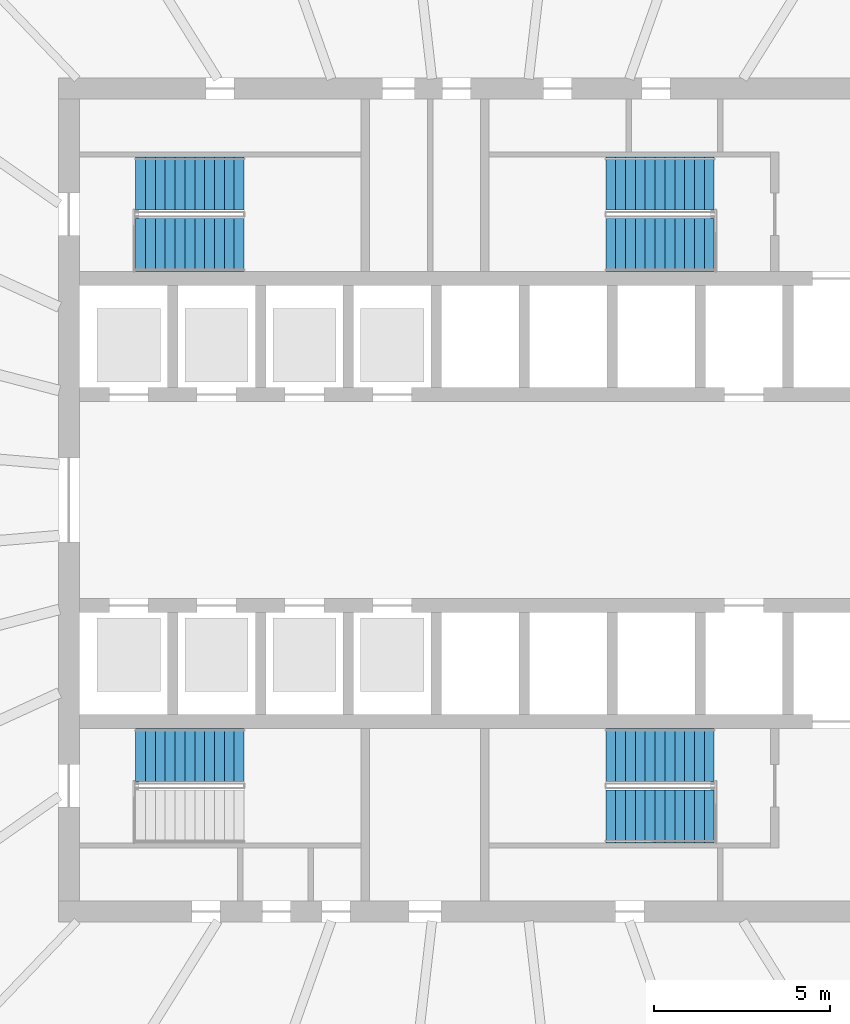
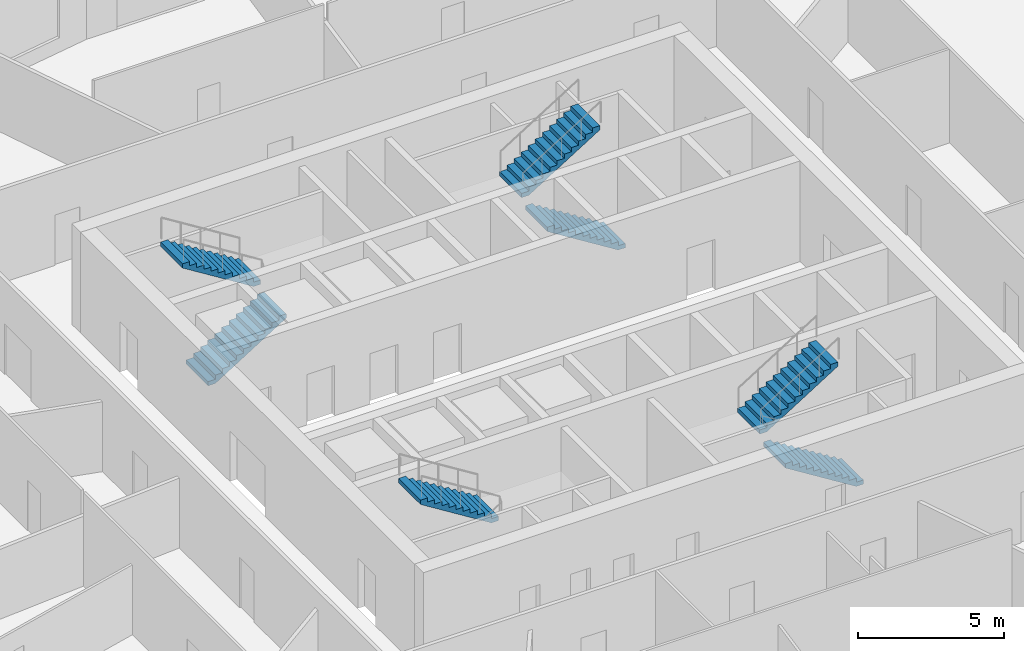
# One storey, part 8 of 11: 7 stair flights, 4 elements without a shape of their own.
"""IFC4 building model written with IfcOpenShell, lengths in metres."""

from ifc_helpers import new_model, si_unit, direction, frame, origin, place, context, subcontext, project, spatial, polyline, outline, extrude, material, type_object, element, aggregate, save


model = new_model("IFC4")

# Units and contexts
model_context = context("Model", 3, precision=1e-05, world=origin(), true_north=direction((0.0, 1.0)))
body_context = subcontext(model_context, "Body", "Model", "MODEL_VIEW")
ifc_project = project(units=[si_unit("LENGTHUNIT", "METRE"), si_unit("AREAUNIT", "SQUARE_METRE"), si_unit("VOLUMEUNIT", "CUBIC_METRE"), si_unit("PLANEANGLEUNIT", "RADIAN"), si_unit("MASSUNIT", "GRAM", prefix="KILO")], contexts=[model_context])

# Site, building, storey
site_placement = place(None, origin())
site = spatial("IfcSite", under=ifc_project, at=site_placement, CompositionType="ELEMENT")
building_placement = place(site_placement, origin())
building = spatial("IfcBuilding", under=site, at=building_placement, Name="Halqa Exchange Tower", CompositionType="ELEMENT")
storey_placement = place(building_placement, frame((0.0, 0.0, 150.699951171875)))
storey = spatial("IfcBuildingStorey", under=building, at=storey_placement, Name="L34", CompositionType="ELEMENT", Elevation=150.699951171875)

# Stair, stair flights
ifc_material = material(Name="Concrete C30/37", Category="concrete")
stair_type = type_object("IfcStairType", Name="Exit stair 1500 wide", PredefinedType="HALF_TURN_STAIR", material=ifc_material)
stair_1_placement = place(storey_placement, origin())
stair_1 = element("IfcStair", 1, at=stair_1_placement, inside=storey, type_object=stair_type, Name="Exit stair ST1", PredefinedType="HALF_TURN_STAIR")
stair_flight_type = type_object("IfcStairFlightType", Name="Stair flight 1500 wide", PredefinedType="STRAIGHT", material=ifc_material)
stair_flight_1_placement = place(storey_placement, frame((-9.800048828125, 7.25, 0.0), z_axis=(0.0, 0.0, 1.0), x_axis=(1.0, 0.0, 0.0)))
stair_flight_1 = element("IfcStairFlight", 2, at=stair_flight_1_placement, type_object=stair_flight_type, Name="ST1 flight 1", NumberOfRisers=12, NumberOfTreads=11, PredefinedType="STRAIGHT", RiserHeight=0.175, TreadLength=0.28, context=body_context, shape_type="SweptSolid", body=[
    extrude(outline(polyline([(0.0, 0.0), (0.0, 0.175048828125), (0.280029296875, 0.175048828125), (0.280029296875, 0.35009765625), (0.56005859375, 0.35009765625), (0.56005859375, 0.52490234375), (0.840087890625, 0.52490234375), (0.840087890625, 0.699951171875), (1.1201171875, 0.699951171875), (1.1201171875, 0.875), (1.39990234375, 0.875), (1.39990234375, 1.050048828125), (1.679931640625, 1.050048828125), (1.679931640625, 1.22509765625), (1.9599609375, 1.22509765625), (1.9599609375, 1.39990234375), (2.239990234375, 1.39990234375), (2.239990234375, 1.574951171875), (2.52001953125, 1.574951171875), (2.52001953125, 1.75), (2.800048828125, 1.75), (2.800048828125, 1.925048828125), (3.080078125, 1.925048828125), (3.080078125, 2.10009765625), (3.080078125, 1.748291015625), (0.28271484375, 0.0), (0.0, 0.0)])), frame((0.0, 0.75, 0.0), z_axis=(0.0, -1.0, 0.0), x_axis=(1.0, 0.0, 0.0)), (0.0, 0.0, 1.0), 1.5),
])
stair_flight_2_placement = place(storey_placement, frame((-6.719970703125, 9.0, 2.10009765625), z_axis=(0.0, 0.0, 1.0), x_axis=(-1.0, 0.0, 0.0)))
stair_flight_2 = element("IfcStairFlight", 3, at=stair_flight_2_placement, type_object=stair_flight_type, Name="ST1 flight 2", NumberOfRisers=12, NumberOfTreads=11, PredefinedType="STRAIGHT", RiserHeight=0.175, TreadLength=0.28, context=body_context, shape_type="SweptSolid", body=[
    extrude(outline(polyline([(0.0, 0.0), (0.0, 0.175048828125), (0.280029296875, 0.175048828125), (0.280029296875, 0.35009765625), (0.56005859375, 0.35009765625), (0.56005859375, 0.52490234375), (0.840087890625, 0.52490234375), (0.840087890625, 0.699951171875), (1.1201171875, 0.699951171875), (1.1201171875, 0.875), (1.39990234375, 0.875), (1.39990234375, 1.050048828125), (1.679931640625, 1.050048828125), (1.679931640625, 1.22509765625), (1.9599609375, 1.22509765625), (1.9599609375, 1.39990234375), (2.239990234375, 1.39990234375), (2.239990234375, 1.574951171875), (2.52001953125, 1.574951171875), (2.52001953125, 1.75), (2.800048828125, 1.75), (2.800048828125, 1.925048828125), (3.080078125, 1.925048828125), (3.080078125, 2.10009765625), (3.080078125, 1.748291015625), (0.28271484375, 0.0), (0.0, 0.0)])), frame((0.0, 0.75, 0.0), z_axis=(0.0, -1.0, 0.0), x_axis=(1.0, 0.0, 0.0)), (0.0, 0.0, 1.0), 1.5),
])
aggregate(stair_1, [stair_flight_1, stair_flight_2])

stair_2_placement = place(storey_placement, origin())
stair_2 = element("IfcStair", 4, at=stair_2_placement, inside=storey, type_object=stair_type, Name="Exit stair ST2", PredefinedType="HALF_TURN_STAIR")
stair_flight_3_placement = place(storey_placement, frame((6.64990234375, 7.25, 0.0), z_axis=(0.0, 0.0, 1.0), x_axis=(-1.0, 0.0, 0.0)))
stair_flight_3 = element("IfcStairFlight", 5, at=stair_flight_3_placement, type_object=stair_flight_type, Name="ST2 flight 1", NumberOfRisers=12, NumberOfTreads=11, PredefinedType="STRAIGHT", RiserHeight=0.175, TreadLength=0.28, context=body_context, shape_type="SweptSolid", body=[
    extrude(outline(polyline([(0.0, 0.0), (0.0, 0.175048828125), (0.280029296875, 0.175048828125), (0.280029296875, 0.35009765625), (0.56005859375, 0.35009765625), (0.56005859375, 0.52490234375), (0.840087890625, 0.52490234375), (0.840087890625, 0.699951171875), (1.1201171875, 0.699951171875), (1.1201171875, 0.875), (1.39990234375, 0.875), (1.39990234375, 1.050048828125), (1.679931640625, 1.050048828125), (1.679931640625, 1.22509765625), (1.9599609375, 1.22509765625), (1.9599609375, 1.39990234375), (2.239990234375, 1.39990234375), (2.239990234375, 1.574951171875), (2.52001953125, 1.574951171875), (2.52001953125, 1.75), (2.800048828125, 1.75), (2.800048828125, 1.925048828125), (3.080078125, 1.925048828125), (3.080078125, 2.10009765625), (3.080078125, 1.748291015625), (0.28271484375, 0.0), (0.0, 0.0)])), frame((0.0, 0.75, 0.0), z_axis=(0.0, -1.0, 0.0), x_axis=(1.0, 0.0, 0.0)), (0.0, 0.0, 1.0), 1.5),
])
stair_flight_4_placement = place(storey_placement, frame((3.570068359375, 9.0, 2.10009765625), z_axis=(0.0, 0.0, 1.0), x_axis=(1.0, 0.0, 0.0)))
stair_flight_4 = element("IfcStairFlight", 6, at=stair_flight_4_placement, type_object=stair_flight_type, Name="ST2 flight 2", NumberOfRisers=12, NumberOfTreads=11, PredefinedType="STRAIGHT", RiserHeight=0.175, TreadLength=0.28, context=body_context, shape_type="SweptSolid", body=[
    extrude(outline(polyline([(0.0, 0.0), (0.0, 0.175048828125), (0.280029296875, 0.175048828125), (0.280029296875, 0.35009765625), (0.56005859375, 0.35009765625), (0.56005859375, 0.52490234375), (0.840087890625, 0.52490234375), (0.840087890625, 0.699951171875), (1.1201171875, 0.699951171875), (1.1201171875, 0.875), (1.39990234375, 0.875), (1.39990234375, 1.050048828125), (1.679931640625, 1.050048828125), (1.679931640625, 1.22509765625), (1.9599609375, 1.22509765625), (1.9599609375, 1.39990234375), (2.239990234375, 1.39990234375), (2.239990234375, 1.574951171875), (2.52001953125, 1.574951171875), (2.52001953125, 1.75), (2.800048828125, 1.75), (2.800048828125, 1.925048828125), (3.080078125, 1.925048828125), (3.080078125, 2.10009765625), (3.080078125, 1.748291015625), (0.28271484375, 0.0), (0.0, 0.0)])), frame((0.0, 0.75, 0.0), z_axis=(0.0, -1.0, 0.0), x_axis=(1.0, 0.0, 0.0)), (0.0, 0.0, 1.0), 1.5),
])
aggregate(stair_2, [stair_flight_3, stair_flight_4])

# Stair, stair flight
stair_3_placement = place(storey_placement, origin())
stair_3 = element("IfcStair", 7, at=stair_3_placement, inside=storey, type_object=stair_type, Name="Exit stair ST3", PredefinedType="HALF_TURN_STAIR")
stair_flight_5_placement = place(storey_placement, frame((-6.719970703125, -7.25, 2.10009765625), z_axis=(0.0, 0.0, 1.0), x_axis=(-1.0, 0.0, 0.0)))
stair_flight_5 = element("IfcStairFlight", 8, at=stair_flight_5_placement, type_object=stair_flight_type, Name="ST3 flight 2", NumberOfRisers=12, NumberOfTreads=11, PredefinedType="STRAIGHT", RiserHeight=0.175, TreadLength=0.28, context=body_context, shape_type="SweptSolid", body=[
    extrude(outline(polyline([(0.0, 0.0), (0.0, 0.175048828125), (0.280029296875, 0.175048828125), (0.280029296875, 0.35009765625), (0.56005859375, 0.35009765625), (0.56005859375, 0.52490234375), (0.840087890625, 0.52490234375), (0.840087890625, 0.699951171875), (1.1201171875, 0.699951171875), (1.1201171875, 0.875), (1.39990234375, 0.875), (1.39990234375, 1.050048828125), (1.679931640625, 1.050048828125), (1.679931640625, 1.22509765625), (1.9599609375, 1.22509765625), (1.9599609375, 1.39990234375), (2.239990234375, 1.39990234375), (2.239990234375, 1.574951171875), (2.52001953125, 1.574951171875), (2.52001953125, 1.75), (2.800048828125, 1.75), (2.800048828125, 1.925048828125), (3.080078125, 1.925048828125), (3.080078125, 2.10009765625), (3.080078125, 1.748291015625), (0.28271484375, 0.0), (0.0, 0.0)])), frame((0.0, 0.75, 0.0), z_axis=(0.0, -1.0, 0.0), x_axis=(1.0, 0.0, 0.0)), (0.0, 0.0, 1.0), 1.5),
])
aggregate(stair_3, [stair_flight_5])

# Stair, stair flights
stair_4_placement = place(storey_placement, origin())
stair_4 = element("IfcStair", 9, at=stair_4_placement, inside=storey, type_object=stair_type, Name="Exit stair ST4", PredefinedType="HALF_TURN_STAIR")
stair_flight_6_placement = place(storey_placement, frame((6.64990234375, -9.0, 0.0), z_axis=(0.0, 0.0, 1.0), x_axis=(-1.0, 0.0, 0.0)))
stair_flight_6 = element("IfcStairFlight", 10, at=stair_flight_6_placement, type_object=stair_flight_type, Name="ST4 flight 1", NumberOfRisers=12, NumberOfTreads=11, PredefinedType="STRAIGHT", RiserHeight=0.175, TreadLength=0.28, context=body_context, shape_type="SweptSolid", body=[
    extrude(outline(polyline([(0.0, 0.0), (0.0, 0.175048828125), (0.280029296875, 0.175048828125), (0.280029296875, 0.35009765625), (0.56005859375, 0.35009765625), (0.56005859375, 0.52490234375), (0.840087890625, 0.52490234375), (0.840087890625, 0.699951171875), (1.1201171875, 0.699951171875), (1.1201171875, 0.875), (1.39990234375, 0.875), (1.39990234375, 1.050048828125), (1.679931640625, 1.050048828125), (1.679931640625, 1.22509765625), (1.9599609375, 1.22509765625), (1.9599609375, 1.39990234375), (2.239990234375, 1.39990234375), (2.239990234375, 1.574951171875), (2.52001953125, 1.574951171875), (2.52001953125, 1.75), (2.800048828125, 1.75), (2.800048828125, 1.925048828125), (3.080078125, 1.925048828125), (3.080078125, 2.10009765625), (3.080078125, 1.748291015625), (0.28271484375, 0.0), (0.0, 0.0)])), frame((0.0, 0.75, 0.0), z_axis=(0.0, -1.0, 0.0), x_axis=(1.0, 0.0, 0.0)), (0.0, 0.0, 1.0), 1.5),
])
stair_flight_7_placement = place(storey_placement, frame((3.570068359375, -7.25, 2.10009765625), z_axis=(0.0, 0.0, 1.0), x_axis=(1.0, 0.0, 0.0)))
stair_flight_7 = element("IfcStairFlight", 11, at=stair_flight_7_placement, type_object=stair_flight_type, Name="ST4 flight 2", NumberOfRisers=12, NumberOfTreads=11, PredefinedType="STRAIGHT", RiserHeight=0.175, TreadLength=0.28, context=body_context, shape_type="SweptSolid", body=[
    extrude(outline(polyline([(0.0, 0.0), (0.0, 0.175048828125), (0.280029296875, 0.175048828125), (0.280029296875, 0.35009765625), (0.56005859375, 0.35009765625), (0.56005859375, 0.52490234375), (0.840087890625, 0.52490234375), (0.840087890625, 0.699951171875), (1.1201171875, 0.699951171875), (1.1201171875, 0.875), (1.39990234375, 0.875), (1.39990234375, 1.050048828125), (1.679931640625, 1.050048828125), (1.679931640625, 1.22509765625), (1.9599609375, 1.22509765625), (1.9599609375, 1.39990234375), (2.239990234375, 1.39990234375), (2.239990234375, 1.574951171875), (2.52001953125, 1.574951171875), (2.52001953125, 1.75), (2.800048828125, 1.75), (2.800048828125, 1.925048828125), (3.080078125, 1.925048828125), (3.080078125, 2.10009765625), (3.080078125, 1.748291015625), (0.28271484375, 0.0), (0.0, 0.0)])), frame((0.0, 0.75, 0.0), z_axis=(0.0, -1.0, 0.0), x_axis=(1.0, 0.0, 0.0)), (0.0, 0.0, 1.0), 1.5),
])
aggregate(stair_4, [stair_flight_6, stair_flight_7])

save(model, "model.ifc")
